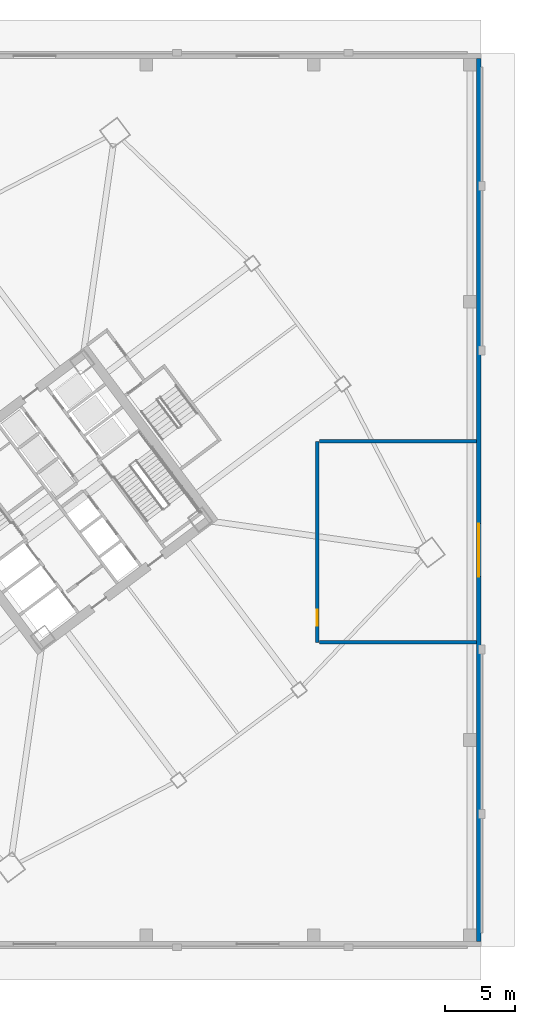
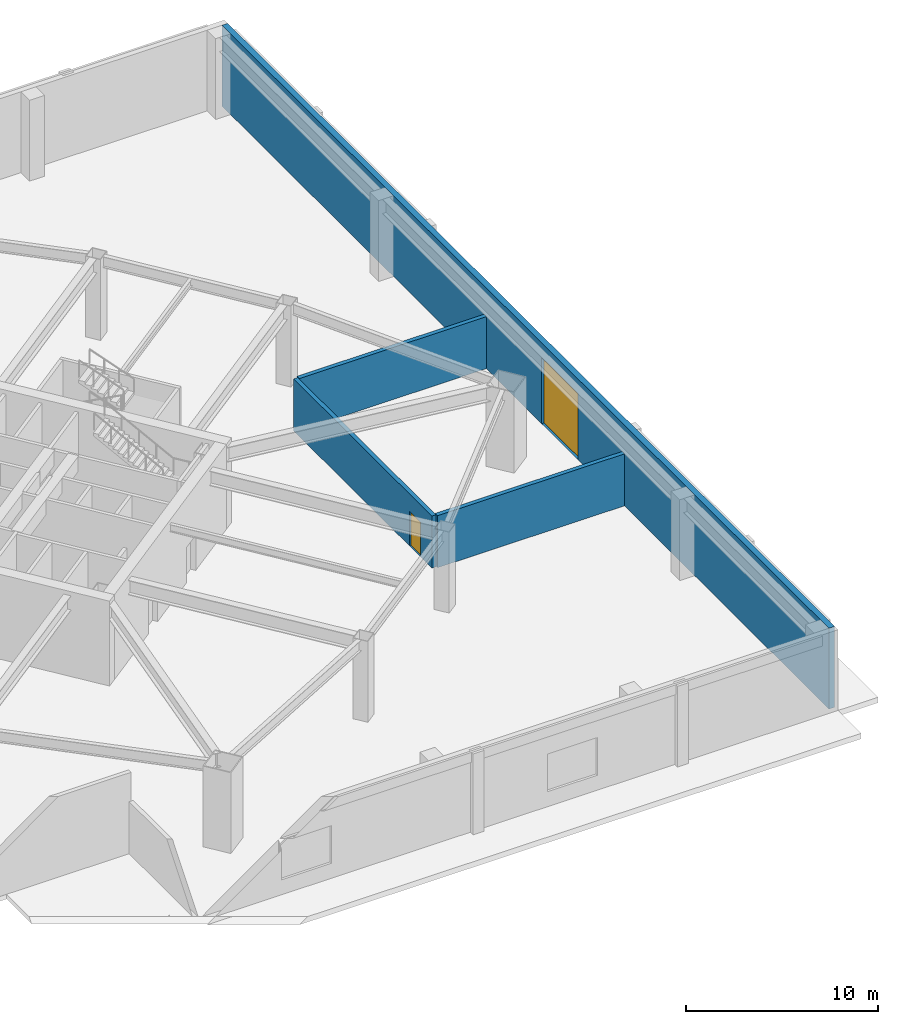
# One storey, part 14 of 26: 4 walls, 2 doors, 2 openings.
"""IFC4 building model written with IfcOpenShell, lengths in metres."""

from ifc_helpers import new_model, si_unit, direction, frame, frame_2d, origin, place, context, subcontext, project, spatial, rectangle, extrude, material, layer, layer_set, type_object, element, fill, save


model = new_model("IFC4")

# Units and contexts
model_context = context("Model", 3, precision=1e-05, world=origin(), true_north=direction((0.0, 1.0)))
body_context = subcontext(model_context, "Body", "Model", "MODEL_VIEW")
ifc_project = project(units=[si_unit("LENGTHUNIT", "METRE"), si_unit("AREAUNIT", "SQUARE_METRE"), si_unit("VOLUMEUNIT", "CUBIC_METRE"), si_unit("PLANEANGLEUNIT", "RADIAN"), si_unit("MASSUNIT", "GRAM", prefix="KILO")], contexts=[model_context])

# Site, building, storey
site_placement = place(None, origin())
site = spatial("IfcSite", under=ifc_project, at=site_placement, CompositionType="ELEMENT")
building_placement = place(site_placement, origin())
building = spatial("IfcBuilding", under=site, at=building_placement, Name="Tashvorn Skyway Center", CompositionType="ELEMENT")
storey_placement = place(building_placement, origin())
storey = spatial("IfcBuildingStorey", under=building, at=storey_placement, Name="L00", CompositionType="ELEMENT", Elevation=0.0)

# Wall, opening, door
ifc_material_1 = material(Name="Precast concrete C40/50", Category="concrete")
ifc_layer_1 = layer(ifc_material_1, 0.35009765625)
ifc_layer_set_1 = layer_set([ifc_layer_1], Name="Precast concrete C40/50")
wall_type_1 = type_object("IfcWallType", Name="WALL-EXT-350", PredefinedType="SOLIDWALL", material=ifc_layer_set_1)
wall_1_placement = place(storey_placement, frame((143.824951171875, 63.64990234375, 0.0), z_axis=(0.0, 0.0, 1.0), x_axis=(0.0, -1.0, 0.0)))
wall_1 = element("IfcWall", 1, at=wall_1_placement, inside=storey, type_object=wall_type_1, Name="L00 East Postmodern Precast Facade Wall", PredefinedType="SOLIDWALL", context=body_context, shape_type="SweptSolid", body=[
    extrude(rectangle(XDim=63.2998046875, YDim=0.35009765625, at=frame_2d((31.64990234375, 0.0))), origin(), (0.0, 0.0, 1.0), 5.139892578125),
])
opening_1_placement = place(wall_1_placement, frame((33.35009765625, 0.0, 0.0)))
opening_1 = element("IfcOpeningElement", 2, at=opening_1_placement, cuts=wall_1, Name="Opening G-LOAD-01", PredefinedType="OPENING", context=body_context, shape_type="SweptSolid", body=[
    extrude(rectangle(XDim=3.800048828125, YDim=4.199951171875, at=frame_2d((1.89990234375, 2.10009765625))), frame((0.0, 0.18505859375, 0.0), z_axis=(0.0, -1.0, 0.0), x_axis=(1.0, 0.0, 0.0)), (0.0, 0.0, 1.0), 0.3701171875),
])
ifc_material_2 = material(Name="Galvanized steel S355", Category="steel")
door_type_1 = type_object("IfcDoorType", Name="GATE-LOAD-3800", OperationType="ROLLINGUP", PredefinedType="GATE", material=ifc_material_2)
door_1_placement = place(opening_1_placement, origin())
door_1 = element("IfcDoor", 3, at=door_1_placement, inside=storey, type_object=door_type_1, Name="Freight Loading Bay Roller Shutter Gate G-LOAD-01", OperationType="ROLLINGUP", OverallHeight=4.199951171875, OverallWidth=3.800048828125, PredefinedType="GATE", context=body_context, shape_type="SweptSolid", body=[
    extrude(rectangle(XDim=3.800048828125, YDim=4.199951171875, at=frame_2d((1.89990234375, 2.10009765625))), frame((0.0, 0.02490234375, 0.0), z_axis=(0.0, -1.0, 0.0), x_axis=(1.0, 0.0, 0.0)), (0.0, 0.0, 1.0), 0.050048828125),
])
fill(opening_1, door_1)

ifc_material_3 = material(Name="Concrete C40/50", Category="concrete")
ifc_layer_2 = layer(ifc_material_3, 0.25)
ifc_layer_set_2 = layer_set([ifc_layer_2], Name="Concrete C40/50")
wall_type_2 = type_object("IfcWallType", Name="WALL-SHAFT-250", PredefinedType="SOLIDWALL", material=ifc_layer_set_2)
wall_2_placement = place(storey_placement, frame((132.25, 21.800048828125, 0.0), z_axis=(0.0, 0.0, 1.0), x_axis=(0.0, 1.0, 0.0)))
wall_2 = element("IfcWall", 4, at=wall_2_placement, inside=storey, type_object=wall_type_2, Name="L00 Loading Bay West Fire Wall", PredefinedType="SOLIDWALL", context=body_context, shape_type="SweptSolid", body=[
    extrude(rectangle(XDim=14.39990234375, YDim=0.25, at=frame_2d((7.199951171875, 0.0))), origin(), (0.0, 0.0, 1.0), 3.31005859375),
])
opening_2_placement = place(wall_2_placement, frame((1.199951171875, 0.0, 0.0)))
opening_2 = element("IfcOpeningElement", 5, at=opening_2_placement, cuts=wall_2, Name="Opening D-ST-1150", PredefinedType="OPENING", context=body_context, shape_type="SweptSolid", body=[
    extrude(rectangle(XDim=1.14990234375, YDim=2.199951171875, at=frame_2d((0.574951171875, 1.10009765625))), frame((0.0, 0.135009765625, 0.0), z_axis=(0.0, -1.0, 0.0), x_axis=(1.0, 0.0, 0.0)), (0.0, 0.0, 1.0), 0.27001953125),
])
ifc_material_4 = material(Name="Hollow galvanized steel fire door assembly", Category="steel")
door_type_2 = type_object("IfcDoorType", Name="DOOR-STAIR-1150", OperationType="NOTDEFINED", PredefinedType="DOOR", material=ifc_material_4)
door_2_placement = place(opening_2_placement, origin())
door_2 = element("IfcDoor", 6, at=door_2_placement, inside=storey, type_object=door_type_2, Name="L00 Loading Bay Service Corridor Door", OperationType="SINGLE_SWING_RIGHT", OverallHeight=2.199951171875, OverallWidth=1.14990234375, PredefinedType="DOOR", context=body_context, shape_type="SweptSolid", body=[
    extrude(rectangle(XDim=1.14990234375, YDim=2.199951171875, at=frame_2d((0.574951171875, 1.10009765625))), frame((0.0, 0.02490234375, 0.0), z_axis=(0.0, -1.0, 0.0), x_axis=(1.0, 0.0, 0.0)), (0.0, 0.0, 1.0), 0.050048828125),
])
fill(opening_2, door_2)

# Walls
for number, where, z_axis, x_axis, name in (
    (7, (132.39990234375, 36.199951171875, 0.0), (0.0, 0.0, 1.0), (1.0, 0.0, 0.0), "L00 Loading Bay North Fire Wall"),
    (8, (132.39990234375, 21.800048828125, 0.0), (0.0, 0.0, 1.0), (1.0, 0.0, 0.0), "L00 Loading Bay South Fire Wall"),
):
    element("IfcWall", number, at=place(storey_placement, frame(where, z_axis=z_axis, x_axis=x_axis)), inside=storey, type_object=wall_type_2, Name=name, PredefinedType="SOLIDWALL", context=body_context, shape_type="SweptSolid", body=[
        extrude(rectangle(XDim=11.25, YDim=0.25, at=frame_2d((5.625, 0.0))), origin(), (0.0, 0.0, 1.0), 3.31005859375),
    ])

save(model, "model.ifc")
